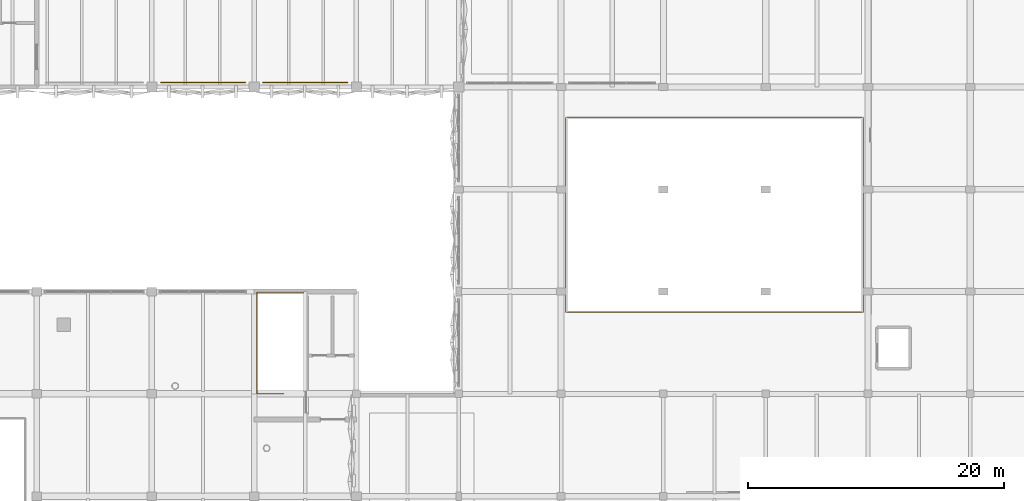
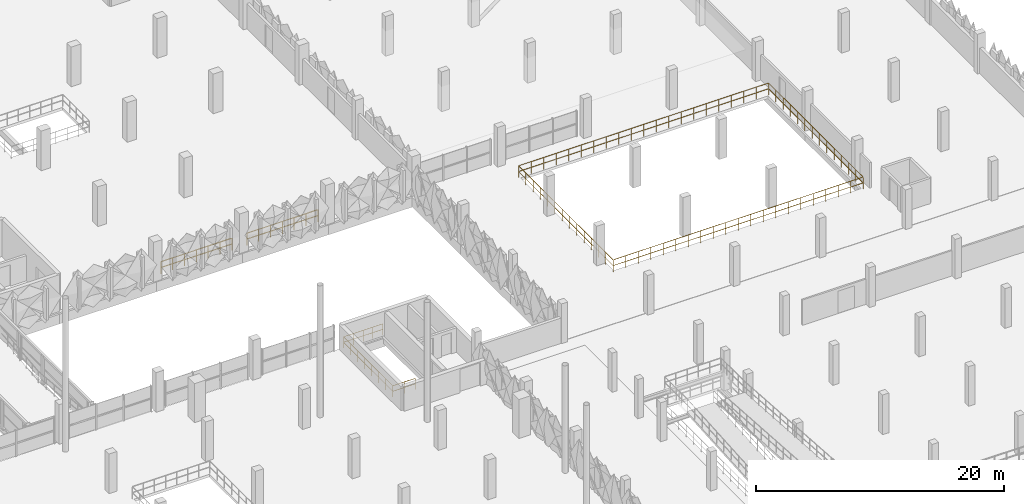
# One storey, part 120 of 123: 4 railings.
"""IFC4 building model written with IfcOpenShell, lengths in metres."""

import ifcopenshell
import ifcopenshell.guid

model = None  # the IFC model being written
_history = None  # IfcOwnerHistory: only IFC2X3 demands one
_inside = {}  # id of a spatial element -> (the spatial element, [elements in it])
_under = {}  # id of a project, library or spatial element -> (it, [spatial elements below it])
_declared = {}  # id of a project -> (the project, [libraries it declares])
_typed = {}  # id of a type object -> (the type object, [elements of that type])
_made_of = {}  # id of a material, layer set ... -> (it, [elements and type objects made of it])


def new_model(schema):
    """Start an empty IFC model of exactly this schema.

    Asked for "IFC4X3", IfcOpenShell would pick the latest addendum, in which some entities
    have other attributes; the version numbers below select the first issue.
    IFC2X3 requires an IfcOwnerHistory on every rooted entity: one is made here for all.
    """
    global model, _history
    if schema == "IFC4X3":
        model = ifcopenshell.file(schema_version=(4, 3, 0, 0))
    else:
        model = ifcopenshell.file(schema=schema)
    _inside.clear()
    _under.clear()
    _declared.clear()
    _typed.clear()
    _made_of.clear()
    _history = None
    if model.schema == "IFC2X3":
        org = make("IfcOrganization", Name="unknown")
        user = make(
            "IfcPersonAndOrganization",
            ThePerson=make("IfcPerson", FamilyName="unknown"),
            TheOrganization=org,
        )
        app = make(
            "IfcApplication",
            ApplicationDeveloper=org,
            Version="unknown",
            ApplicationFullName="unknown",
            ApplicationIdentifier="unknown",
        )
        _history = make(
            "IfcOwnerHistory",
            OwningUser=user,
            OwningApplication=app,
            ChangeAction="ADDED",
            CreationDate=0,
        )
    return model


def make(cls, **values):
    """One entity of the class cls with the attributes given. An attribute that is None is left unset."""
    return model.create_entity(
        cls, **{name: value for name, value in values.items() if value is not None}
    )


def rooted(cls, **values):
    """An entity with a GlobalId (a new one), such as an element, a storey or a relation."""
    return make(cls, GlobalId=ifcopenshell.guid.new(), OwnerHistory=_history, **values)


def si_unit(unit_type, name, prefix=None):
    """IfcSIUnit, for example si_unit("LENGTHUNIT", "METRE", prefix="MILLI")."""
    return make("IfcSIUnit", UnitType=unit_type, Prefix=prefix, Name=name)


def derived_unit(unit_type, elements):
    """IfcDerivedUnit: a product of units, each with its exponent."""
    return make(
        "IfcDerivedUnit",
        Elements=[
            make("IfcDerivedUnitElement", Unit=unit, Exponent=power)
            for unit, power in elements
        ],
        UnitType=unit_type,
    )


def assignment(units):
    """IfcUnitAssignment: the units of a project."""
    return None if units is None else make("IfcUnitAssignment", Units=units)


def point(xyz):
    """IfcCartesianPoint."""
    return None if xyz is None else make("IfcCartesianPoint", Coordinates=xyz)


def direction(xyz):
    """IfcDirection."""
    return None if xyz is None else make("IfcDirection", DirectionRatios=xyz)


def frame(location, z_axis=None, x_axis=None):
    """IfcAxis2Placement3D, a coordinate frame: its origin and axes. An axis left out is left unset."""
    return make(
        "IfcAxis2Placement3D",
        Location=point(location),
        Axis=direction(z_axis),
        RefDirection=direction(x_axis),
    )


def frame_2d(location, x_axis=None):
    """IfcAxis2Placement2D, a coordinate frame in the plane: its origin and x axis."""
    return make(
        "IfcAxis2Placement2D", Location=point(location), RefDirection=direction(x_axis)
    )


def origin():
    """The frame at (0, 0, 0) with its axes left unset."""
    return frame((0.0, 0.0, 0.0))


def origin_2d():
    """The frame at (0, 0) in the plane with its x axis left unset."""
    return frame_2d((0.0, 0.0))


def place(relative_to, where):
    """IfcLocalPlacement: puts the frame where relative to a parent placement (None: the world)."""
    return make(
        "IfcLocalPlacement", PlacementRelTo=relative_to, RelativePlacement=where
    )


def context(
    kind, dimensions, precision=None, world=None, true_north=None, identifier=None
):
    """IfcGeometricRepresentationContext, for example the 3D "Model" context."""
    return make(
        "IfcGeometricRepresentationContext",
        ContextIdentifier=identifier,
        ContextType=kind,
        CoordinateSpaceDimension=dimensions,
        Precision=precision,
        WorldCoordinateSystem=world,
        TrueNorth=true_north,
    )


def subcontext(parent, identifier, kind, view, scale=None):
    """IfcGeometricRepresentationSubContext, for example "Body" below "Model"."""
    return make(
        "IfcGeometricRepresentationSubContext",
        ContextIdentifier=identifier,
        ContextType=kind,
        ParentContext=parent,
        TargetScale=scale,
        TargetView=view,
    )


def project(units=None, contexts=None):
    """IfcProject with its units and contexts."""
    return rooted(
        "IfcProject",
        Name="project",
        RepresentationContexts=contexts,
        UnitsInContext=assignment(units),
    )


def spatial(cls, under=None, at=None, **own):
    """A site, building, storey or space (cls), placed at a placement, below another one or the project."""
    s = rooted(cls, ObjectPlacement=at, **own)
    if under is not None:
        _under.setdefault(under.id(), (under, []))[1].append(s)
    return s


def profile(cls, at=None, kind="AREA", **sizes):
    """A parametric profile (cls). Its sizes go by their IFC names, for example OverallWidth=200.0."""
    return make(cls, ProfileType=kind, Position=at, **sizes)


def circle(**sizes):
    """IfcCircleProfileDef."""
    return profile("IfcCircleProfileDef", **sizes)


def extrude(swept, where, along, depth):
    """IfcExtrudedAreaSolid: the profile swept, set in the frame where, extruded along a direction by depth."""
    return make(
        "IfcExtrudedAreaSolid",
        SweptArea=swept,
        Position=where,
        ExtrudedDirection=direction(along),
        Depth=depth,
    )


def shape(context_of_items, identifier, shape_type, items):
    """IfcShapeRepresentation: the items that make up one representation, for example the "Body"."""
    return make(
        "IfcShapeRepresentation",
        ContextOfItems=context_of_items,
        RepresentationIdentifier=identifier,
        RepresentationType=shape_type,
        Items=items,
    )


def material(Name=None, Category=None):
    """IfcMaterial."""
    return make("IfcMaterial", Name=Name, Category=Category)


def made_of(thing, what):
    """Note that an element or type object is made of a material, layer set ...; save() writes the relation."""
    if what is not None:
        _made_of.setdefault(what.id(), (what, []))[1].append(thing)
    return thing


def type_object(cls, material=None, **own):
    """A type object (cls), such as IfcWallType, which elements share."""
    return made_of(rooted(cls, **own), material)


def element(
    cls,
    number,
    at=None,
    inside=None,
    cuts=None,
    type_object=None,
    material=None,
    context=None,
    identifier="Body",
    shape_type=None,
    held_by="IfcProductDefinitionShape",
    body=None,
    shapes=None,
    **own,
):
    """One element of the class cls, such as IfcWall. Its Tag is "e" and its number.

    at: its placement. inside: the storey or other place that contains it. cuts: it is an
    opening in that element (IfcRelVoidsElement). A single representation is given by context,
    identifier, shape_type and body (its items); several are given by shapes. held_by: the class
    of the entity that holds the representations. save() writes the other relations.
    """
    e = rooted(cls, Tag="e%d" % number, ObjectPlacement=at, **own)
    if body is not None:
        shapes = [shape(context, identifier, shape_type, body)]
    if shapes is not None:
        e.Representation = make(held_by, Representations=shapes)
    if inside is not None:
        _inside.setdefault(inside.id(), (inside, []))[1].append(e)
    if cuts is not None:
        rooted(
            "IfcRelVoidsElement", RelatingBuildingElement=cuts, RelatedOpeningElement=e
        )
    if type_object is not None:
        _typed.setdefault(type_object.id(), (type_object, []))[1].append(e)
    return made_of(e, material)


def aggregate(whole, parts):
    """IfcRelAggregates: a whole, such as a stair, and the parts it consists of."""
    return rooted("IfcRelAggregates", RelatingObject=whole, RelatedObjects=parts)


def save(model, path):
    """Write the relations noted so far, then the file.

    IfcRelAggregates (storeys below a building ...), IfcRelContainedInSpatialStructure (elements
    in a storey), IfcRelDefinesByType, IfcRelAssociatesMaterial and IfcRelDeclares: one each for
    every whole, place, type object, material and project.
    """
    for whole, parts in _under.values():
        aggregate(whole, parts)
    for where, things in _inside.values():
        rooted(
            "IfcRelContainedInSpatialStructure",
            RelatedElements=things,
            RelatingStructure=where,
        )
    for kind, things in _typed.values():
        rooted("IfcRelDefinesByType", RelatedObjects=things, RelatingType=kind)
    for what, things in _made_of.values():
        rooted("IfcRelAssociatesMaterial", RelatedObjects=things, RelatingMaterial=what)
    for by, libraries in _declared.values():
        rooted("IfcRelDeclares", RelatingContext=by, RelatedDefinitions=libraries)
    model.write(path)


model = new_model("IFC4")

# Units and contexts
model_context = context("Model", 3, precision=1e-05, world=origin(), true_north=direction((0.0, 1.0)))
body_context = subcontext(model_context, "Body", "Model", "MODEL_VIEW")
ifc_project = project(units=[si_unit("LENGTHUNIT", "METRE"), si_unit("AREAUNIT", "SQUARE_METRE"), si_unit("VOLUMEUNIT", "CUBIC_METRE"), si_unit("PLANEANGLEUNIT", "RADIAN"), si_unit("MASSUNIT", "GRAM", prefix="KILO"), si_unit("THERMODYNAMICTEMPERATUREUNIT", "KELVIN"), derived_unit("THERMALTRANSMITTANCEUNIT", [(si_unit("POWERUNIT", "WATT"), 1), (si_unit("AREAUNIT", "SQUARE_METRE"), -1), (si_unit("THERMODYNAMICTEMPERATUREUNIT", "KELVIN"), -1)])], contexts=[model_context])

# Site, building, storey
site_placement = place(None, origin())
site = spatial("IfcSite", under=ifc_project, at=site_placement, CompositionType="ELEMENT")
building_placement = place(site_placement, origin())
building = spatial("IfcBuilding", under=site, at=building_placement, Name="Haiyu Intermodal Mobility Hub", CompositionType="ELEMENT")
storey_placement = place(building_placement, frame((0.0, 0.0, 5.60009765625)))
storey = spatial("IfcBuildingStorey", under=building, at=storey_placement, Name="L01", CompositionType="ELEMENT", Elevation=5.60009765625)

# Railings
ifc_material = material(Name="Steel Q355C", Category="steel")
railing_type_1 = type_object("IfcRailingType", Name="RAL-GR01", PredefinedType="GUARDRAIL", material=ifc_material)
railing_1_placement = place(storey_placement, frame((138.699951171875, 104.340087890625, 0.0)))
element("IfcRailing", 1, at=railing_1_placement, inside=storey, type_object=railing_type_1, Name="RAL-CAR-S-0144", PredefinedType="GUARDRAIL", context=body_context, shape_type="SweptSolid", body=[
    extrude(circle(Radius=0.02392578125, at=origin_2d()), frame((0.030029296875, 0.0, 1.17578125), z_axis=(1.0, 0.0, 0.0), x_axis=(0.0, 1.0, 0.0)), (0.0, 0.0, 1.0), 6.5400390625),
    extrude(circle(Radius=0.02392578125, at=origin_2d()), frame((0.037353515625, 0.0, 0.60009765625), z_axis=(1.0, 0.0, 0.0), x_axis=(0.0, 1.0, 0.0)), (0.0, 0.0, 1.0), 1.025390625),
    extrude(circle(Radius=0.02392578125, at=origin_2d()), frame((1.13720703125, 0.0, 0.60009765625), z_axis=(1.0, 0.0, 0.0), x_axis=(0.0, 1.0, 0.0)), (0.0, 0.0, 1.0), 1.025390625),
    extrude(circle(Radius=0.02392578125, at=origin_2d()), frame((2.2373046875, 0.0, 0.60009765625), z_axis=(1.0, 0.0, 0.0), x_axis=(0.0, 1.0, 0.0)), (0.0, 0.0, 1.0), 1.025390625),
    extrude(circle(Radius=0.02392578125, at=origin_2d()), frame((3.33740234375, 0.0, 0.60009765625), z_axis=(1.0, 0.0, 0.0), x_axis=(0.0, 1.0, 0.0)), (0.0, 0.0, 1.0), 1.025390625),
    extrude(circle(Radius=0.02392578125, at=origin_2d()), frame((4.437255859375, 0.0, 0.60009765625), z_axis=(1.0, 0.0, 0.0), x_axis=(0.0, 1.0, 0.0)), (0.0, 0.0, 1.0), 1.025390625),
    extrude(circle(Radius=0.02392578125, at=origin_2d()), frame((5.537353515625, 0.0, 0.60009765625), z_axis=(1.0, 0.0, 0.0), x_axis=(0.0, 1.0, 0.0)), (0.0, 0.0, 1.0), 1.025390625),
    extrude(circle(Radius=0.02099609375, at=origin_2d()), origin(), (0.0, 0.0, 1.0), 1.143798828125),
    extrude(circle(Radius=0.02099609375, at=origin_2d()), frame((1.10009765625, 0.0, 0.0)), (0.0, 0.0, 1.0), 1.143798828125),
    extrude(circle(Radius=0.02099609375, at=origin_2d()), frame((2.199951171875, 0.0, 0.0)), (0.0, 0.0, 1.0), 1.143798828125),
    extrude(circle(Radius=0.02099609375, at=origin_2d()), frame((3.300048828125, 0.0, 0.0)), (0.0, 0.0, 1.0), 1.143798828125),
    extrude(circle(Radius=0.02099609375, at=origin_2d()), frame((4.400146484375, 0.0, 0.0)), (0.0, 0.0, 1.0), 1.143798828125),
    extrude(circle(Radius=0.02099609375, at=origin_2d()), frame((5.5, 0.0, 0.0)), (0.0, 0.0, 1.0), 1.143798828125),
    extrude(circle(Radius=0.02099609375, at=origin_2d()), frame((6.60009765625, 0.0, 0.0)), (0.0, 0.0, 1.0), 1.143798828125),
])
railing_2_placement = place(storey_placement, frame((146.699951171875, 104.340087890625, 0.0)))
element("IfcRailing", 2, at=railing_2_placement, inside=storey, type_object=railing_type_1, Name="RAL-CAR-S-0150", PredefinedType="GUARDRAIL", context=body_context, shape_type="SweptSolid", body=[
    extrude(circle(Radius=0.02392578125, at=origin_2d()), frame((0.030029296875, 0.0, 1.17578125), z_axis=(1.0, 0.0, 0.0), x_axis=(0.0, 1.0, 0.0)), (0.0, 0.0, 1.0), 6.5400390625),
    extrude(circle(Radius=0.02392578125, at=origin_2d()), frame((0.037353515625, 0.0, 0.60009765625), z_axis=(1.0, 0.0, 0.0), x_axis=(0.0, 1.0, 0.0)), (0.0, 0.0, 1.0), 1.025390625),
    extrude(circle(Radius=0.02392578125, at=origin_2d()), frame((1.13720703125, 0.0, 0.60009765625), z_axis=(1.0, 0.0, 0.0), x_axis=(0.0, 1.0, 0.0)), (0.0, 0.0, 1.0), 1.025390625),
    extrude(circle(Radius=0.02392578125, at=origin_2d()), frame((2.2373046875, 0.0, 0.60009765625), z_axis=(1.0, 0.0, 0.0), x_axis=(0.0, 1.0, 0.0)), (0.0, 0.0, 1.0), 1.025390625),
    extrude(circle(Radius=0.02392578125, at=origin_2d()), frame((3.33740234375, 0.0, 0.60009765625), z_axis=(1.0, 0.0, 0.0), x_axis=(0.0, 1.0, 0.0)), (0.0, 0.0, 1.0), 1.025390625),
    extrude(circle(Radius=0.02392578125, at=origin_2d()), frame((4.437255859375, 0.0, 0.60009765625), z_axis=(1.0, 0.0, 0.0), x_axis=(0.0, 1.0, 0.0)), (0.0, 0.0, 1.0), 1.025390625),
    extrude(circle(Radius=0.02392578125, at=origin_2d()), frame((5.537353515625, 0.0, 0.60009765625), z_axis=(1.0, 0.0, 0.0), x_axis=(0.0, 1.0, 0.0)), (0.0, 0.0, 1.0), 1.025390625),
    extrude(circle(Radius=0.02099609375, at=origin_2d()), origin(), (0.0, 0.0, 1.0), 1.143798828125),
    extrude(circle(Radius=0.02099609375, at=origin_2d()), frame((1.10009765625, 0.0, 0.0)), (0.0, 0.0, 1.0), 1.143798828125),
    extrude(circle(Radius=0.02099609375, at=origin_2d()), frame((2.199951171875, 0.0, 0.0)), (0.0, 0.0, 1.0), 1.143798828125),
    extrude(circle(Radius=0.02099609375, at=origin_2d()), frame((3.300048828125, 0.0, 0.0)), (0.0, 0.0, 1.0), 1.143798828125),
    extrude(circle(Radius=0.02099609375, at=origin_2d()), frame((4.400146484375, 0.0, 0.0)), (0.0, 0.0, 1.0), 1.143798828125),
    extrude(circle(Radius=0.02099609375, at=origin_2d()), frame((5.5, 0.0, 0.0)), (0.0, 0.0, 1.0), 1.143798828125),
    extrude(circle(Radius=0.02099609375, at=origin_2d()), frame((6.60009765625, 0.0, 0.0)), (0.0, 0.0, 1.0), 1.143798828125),
])
railing_3_placement = place(storey_placement, frame((170.3798828125, 86.3798828125, 0.0)))
element("IfcRailing", 3, at=railing_3_placement, inside=storey, type_object=railing_type_1, Name="RAL-V6VOID-L01", PredefinedType="GUARDRAIL", context=body_context, shape_type="SweptSolid", body=[
    extrude(circle(Radius=0.02392578125, at=origin_2d()), frame((0.030029296875, 0.0, 1.15576171875), z_axis=(1.0, 0.0, 0.0), x_axis=(0.0, 1.0, 0.0)), (0.0, 0.0, 1.0), 23.18017578125),
    extrude(circle(Radius=0.02392578125, at=origin_2d()), frame((0.037353515625, 0.0, 0.58984375), z_axis=(1.0, 0.0, 0.0), x_axis=(0.0, 1.0, 0.0)), (0.0, 0.0, 1.0), 1.08740234375),
    extrude(circle(Radius=0.02392578125, at=origin_2d()), frame((1.19921875, 0.0, 0.58984375), z_axis=(1.0, 0.0, 0.0), x_axis=(0.0, 1.0, 0.0)), (0.0, 0.0, 1.0), 1.08740234375),
    extrude(circle(Radius=0.02392578125, at=origin_2d()), frame((2.361328125, 0.0, 0.58984375), z_axis=(1.0, 0.0, 0.0), x_axis=(0.0, 1.0, 0.0)), (0.0, 0.0, 1.0), 1.08740234375),
    extrude(circle(Radius=0.02392578125, at=origin_2d()), frame((3.5234375, 0.0, 0.58984375), z_axis=(1.0, 0.0, 0.0), x_axis=(0.0, 1.0, 0.0)), (0.0, 0.0, 1.0), 1.08740234375),
    extrude(circle(Radius=0.02392578125, at=origin_2d()), frame((4.685302734375, 0.0, 0.58984375), z_axis=(1.0, 0.0, 0.0), x_axis=(0.0, 1.0, 0.0)), (0.0, 0.0, 1.0), 1.08740234375),
    extrude(circle(Radius=0.02392578125, at=origin_2d()), frame((5.847412109375, 0.0, 0.58984375), z_axis=(1.0, 0.0, 0.0), x_axis=(0.0, 1.0, 0.0)), (0.0, 0.0, 1.0), 1.08740234375),
    extrude(circle(Radius=0.02392578125, at=origin_2d()), frame((7.00927734375, 0.0, 0.58984375), z_axis=(1.0, 0.0, 0.0), x_axis=(0.0, 1.0, 0.0)), (0.0, 0.0, 1.0), 1.08740234375),
    extrude(circle(Radius=0.02392578125, at=origin_2d()), frame((8.17138671875, 0.0, 0.58984375), z_axis=(1.0, 0.0, 0.0), x_axis=(0.0, 1.0, 0.0)), (0.0, 0.0, 1.0), 1.08740234375),
    extrude(circle(Radius=0.02392578125, at=origin_2d()), frame((9.33349609375, 0.0, 0.58984375), z_axis=(1.0, 0.0, 0.0), x_axis=(0.0, 1.0, 0.0)), (0.0, 0.0, 1.0), 1.08740234375),
    extrude(circle(Radius=0.02392578125, at=origin_2d()), frame((10.495361328125, 0.0, 0.58984375), z_axis=(1.0, 0.0, 0.0), x_axis=(0.0, 1.0, 0.0)), (0.0, 0.0, 1.0), 1.08740234375),
    extrude(circle(Radius=0.02392578125, at=origin_2d()), frame((11.657470703125, 0.0, 0.58984375), z_axis=(1.0, 0.0, 0.0), x_axis=(0.0, 1.0, 0.0)), (0.0, 0.0, 1.0), 1.08740234375),
    extrude(circle(Radius=0.02392578125, at=origin_2d()), frame((12.8193359375, 0.0, 0.58984375), z_axis=(1.0, 0.0, 0.0), x_axis=(0.0, 1.0, 0.0)), (0.0, 0.0, 1.0), 1.08740234375),
    extrude(circle(Radius=0.02392578125, at=origin_2d()), frame((13.9814453125, 0.0, 0.58984375), z_axis=(1.0, 0.0, 0.0), x_axis=(0.0, 1.0, 0.0)), (0.0, 0.0, 1.0), 1.08740234375),
    extrude(circle(Radius=0.02392578125, at=origin_2d()), frame((15.1435546875, 0.0, 0.58984375), z_axis=(1.0, 0.0, 0.0), x_axis=(0.0, 1.0, 0.0)), (0.0, 0.0, 1.0), 1.08740234375),
    extrude(circle(Radius=0.02392578125, at=origin_2d()), frame((16.305419921875, 0.0, 0.58984375), z_axis=(1.0, 0.0, 0.0), x_axis=(0.0, 1.0, 0.0)), (0.0, 0.0, 1.0), 1.08740234375),
    extrude(circle(Radius=0.02392578125, at=origin_2d()), frame((17.467529296875, 0.0, 0.58984375), z_axis=(1.0, 0.0, 0.0), x_axis=(0.0, 1.0, 0.0)), (0.0, 0.0, 1.0), 1.08740234375),
    extrude(circle(Radius=0.02392578125, at=origin_2d()), frame((18.62939453125, 0.0, 0.58984375), z_axis=(1.0, 0.0, 0.0), x_axis=(0.0, 1.0, 0.0)), (0.0, 0.0, 1.0), 1.08740234375),
    extrude(circle(Radius=0.02392578125, at=origin_2d()), frame((19.79150390625, 0.0, 0.58984375), z_axis=(1.0, 0.0, 0.0), x_axis=(0.0, 1.0, 0.0)), (0.0, 0.0, 1.0), 1.08740234375),
    extrude(circle(Radius=0.02392578125, at=origin_2d()), frame((20.95361328125, 0.0, 0.58984375), z_axis=(1.0, 0.0, 0.0), x_axis=(0.0, 1.0, 0.0)), (0.0, 0.0, 1.0), 1.08740234375),
    extrude(circle(Radius=0.02392578125, at=origin_2d()), frame((22.115478515625, 0.0, 0.58984375), z_axis=(1.0, 0.0, 0.0), x_axis=(0.0, 1.0, 0.0)), (0.0, 0.0, 1.0), 1.08740234375),
    extrude(circle(Radius=0.02392578125, at=origin_2d()), frame((23.240234375, 0.030029296875, 1.15576171875), z_axis=(0.0, 1.0, 0.0), x_axis=(-1.0, 0.0, 0.0)), (0.0, 0.0, 1.0), 15.18017578125),
    extrude(circle(Radius=0.02392578125, at=origin_2d()), frame((23.240234375, 0.037353515625, 0.58984375), z_axis=(0.0, 1.0, 0.0), x_axis=(-1.0, 0.0, 0.0)), (0.0, 0.0, 1.0), 1.09765625),
    extrude(circle(Radius=0.02392578125, at=origin_2d()), frame((23.240234375, 1.209716796875, 0.58984375), z_axis=(0.0, 1.0, 0.0), x_axis=(-1.0, 0.0, 0.0)), (0.0, 0.0, 1.0), 1.09765625),
    extrude(circle(Radius=0.02392578125, at=origin_2d()), frame((23.240234375, 2.3818359375, 0.58984375), z_axis=(0.0, 1.0, 0.0), x_axis=(-1.0, 0.0, 0.0)), (0.0, 0.0, 1.0), 1.09765625),
    extrude(circle(Radius=0.02392578125, at=origin_2d()), frame((23.240234375, 3.55419921875, 0.58984375), z_axis=(0.0, 1.0, 0.0), x_axis=(-1.0, 0.0, 0.0)), (0.0, 0.0, 1.0), 1.09765625),
    extrude(circle(Radius=0.02392578125, at=origin_2d()), frame((23.240234375, 4.7265625, 0.58984375), z_axis=(0.0, 1.0, 0.0), x_axis=(-1.0, 0.0, 0.0)), (0.0, 0.0, 1.0), 1.09765625),
    extrude(circle(Radius=0.02392578125, at=origin_2d()), frame((23.240234375, 5.89892578125, 0.58984375), z_axis=(0.0, 1.0, 0.0), x_axis=(-1.0, 0.0, 0.0)), (0.0, 0.0, 1.0), 1.09765625),
    extrude(circle(Radius=0.02392578125, at=origin_2d()), frame((23.240234375, 7.0712890625, 0.58984375), z_axis=(0.0, 1.0, 0.0), x_axis=(-1.0, 0.0, 0.0)), (0.0, 0.0, 1.0), 1.09765625),
    extrude(circle(Radius=0.02392578125, at=origin_2d()), frame((23.240234375, 8.24365234375, 0.58984375), z_axis=(0.0, 1.0, 0.0), x_axis=(-1.0, 0.0, 0.0)), (0.0, 0.0, 1.0), 1.09765625),
    extrude(circle(Radius=0.02392578125, at=origin_2d()), frame((23.240234375, 9.416015625, 0.58984375), z_axis=(0.0, 1.0, 0.0), x_axis=(-1.0, 0.0, 0.0)), (0.0, 0.0, 1.0), 1.09765625),
    extrude(circle(Radius=0.02392578125, at=origin_2d()), frame((23.240234375, 10.588134765625, 0.58984375), z_axis=(0.0, 1.0, 0.0), x_axis=(-1.0, 0.0, 0.0)), (0.0, 0.0, 1.0), 1.09765625),
    extrude(circle(Radius=0.02392578125, at=origin_2d()), frame((23.240234375, 11.760498046875, 0.58984375), z_axis=(0.0, 1.0, 0.0), x_axis=(-1.0, 0.0, 0.0)), (0.0, 0.0, 1.0), 1.09765625),
    extrude(circle(Radius=0.02392578125, at=origin_2d()), frame((23.240234375, 12.932861328125, 0.58984375), z_axis=(0.0, 1.0, 0.0), x_axis=(-1.0, 0.0, 0.0)), (0.0, 0.0, 1.0), 1.09765625),
    extrude(circle(Radius=0.02392578125, at=origin_2d()), frame((23.240234375, 14.105224609375, 0.58984375), z_axis=(0.0, 1.0, 0.0), x_axis=(-1.0, 0.0, 0.0)), (0.0, 0.0, 1.0), 1.09765625),
    extrude(circle(Radius=0.02392578125, at=origin_2d()), frame((23.210205078125, 15.240234375, 1.15576171875), z_axis=(-1.0, 0.0, 0.0), x_axis=(0.0, -1.0, 0.0)), (0.0, 0.0, 1.0), 23.18017578125),
    extrude(circle(Radius=0.02392578125, at=origin_2d()), frame((23.202880859375, 15.240234375, 0.58984375), z_axis=(-1.0, 0.0, 0.0), x_axis=(0.0, -1.0, 0.0)), (0.0, 0.0, 1.0), 1.08740234375),
    extrude(circle(Radius=0.02392578125, at=origin_2d()), frame((22.041015625, 15.240234375, 0.58984375), z_axis=(-1.0, 0.0, 0.0), x_axis=(0.0, -1.0, 0.0)), (0.0, 0.0, 1.0), 1.08740234375),
    extrude(circle(Radius=0.02392578125, at=origin_2d()), frame((20.87890625, 15.240234375, 0.58984375), z_axis=(-1.0, 0.0, 0.0), x_axis=(0.0, -1.0, 0.0)), (0.0, 0.0, 1.0), 1.08740234375),
    extrude(circle(Radius=0.02392578125, at=origin_2d()), frame((19.716796875, 15.240234375, 0.58984375), z_axis=(-1.0, 0.0, 0.0), x_axis=(0.0, -1.0, 0.0)), (0.0, 0.0, 1.0), 1.08740234375),
    extrude(circle(Radius=0.02392578125, at=origin_2d()), frame((18.554931640625, 15.240234375, 0.58984375), z_axis=(-1.0, 0.0, 0.0), x_axis=(0.0, -1.0, 0.0)), (0.0, 0.0, 1.0), 1.08740234375),
    extrude(circle(Radius=0.02392578125, at=origin_2d()), frame((17.392822265625, 15.240234375, 0.58984375), z_axis=(-1.0, 0.0, 0.0), x_axis=(0.0, -1.0, 0.0)), (0.0, 0.0, 1.0), 1.08740234375),
    extrude(circle(Radius=0.02392578125, at=origin_2d()), frame((16.23095703125, 15.240234375, 0.58984375), z_axis=(-1.0, 0.0, 0.0), x_axis=(0.0, -1.0, 0.0)), (0.0, 0.0, 1.0), 1.08740234375),
    extrude(circle(Radius=0.02392578125, at=origin_2d()), frame((15.06884765625, 15.240234375, 0.58984375), z_axis=(-1.0, 0.0, 0.0), x_axis=(0.0, -1.0, 0.0)), (0.0, 0.0, 1.0), 1.08740234375),
    extrude(circle(Radius=0.02392578125, at=origin_2d()), frame((13.90673828125, 15.240234375, 0.58984375), z_axis=(-1.0, 0.0, 0.0), x_axis=(0.0, -1.0, 0.0)), (0.0, 0.0, 1.0), 1.08740234375),
    extrude(circle(Radius=0.02392578125, at=origin_2d()), frame((12.744873046875, 15.240234375, 0.58984375), z_axis=(-1.0, 0.0, 0.0), x_axis=(0.0, -1.0, 0.0)), (0.0, 0.0, 1.0), 1.08740234375),
    extrude(circle(Radius=0.02392578125, at=origin_2d()), frame((11.582763671875, 15.240234375, 0.58984375), z_axis=(-1.0, 0.0, 0.0), x_axis=(0.0, -1.0, 0.0)), (0.0, 0.0, 1.0), 1.08740234375),
    extrude(circle(Radius=0.02392578125, at=origin_2d()), frame((10.4208984375, 15.240234375, 0.58984375), z_axis=(-1.0, 0.0, 0.0), x_axis=(0.0, -1.0, 0.0)), (0.0, 0.0, 1.0), 1.08740234375),
    extrude(circle(Radius=0.02392578125, at=origin_2d()), frame((9.2587890625, 15.240234375, 0.58984375), z_axis=(-1.0, 0.0, 0.0), x_axis=(0.0, -1.0, 0.0)), (0.0, 0.0, 1.0), 1.08740234375),
    extrude(circle(Radius=0.02392578125, at=origin_2d()), frame((8.0966796875, 15.240234375, 0.58984375), z_axis=(-1.0, 0.0, 0.0), x_axis=(0.0, -1.0, 0.0)), (0.0, 0.0, 1.0), 1.08740234375),
    extrude(circle(Radius=0.02392578125, at=origin_2d()), frame((6.934814453125, 15.240234375, 0.58984375), z_axis=(-1.0, 0.0, 0.0), x_axis=(0.0, -1.0, 0.0)), (0.0, 0.0, 1.0), 1.08740234375),
    extrude(circle(Radius=0.02392578125, at=origin_2d()), frame((5.772705078125, 15.240234375, 0.58984375), z_axis=(-1.0, 0.0, 0.0), x_axis=(0.0, -1.0, 0.0)), (0.0, 0.0, 1.0), 1.08740234375),
    extrude(circle(Radius=0.02392578125, at=origin_2d()), frame((4.61083984375, 15.240234375, 0.58984375), z_axis=(-1.0, 0.0, 0.0), x_axis=(0.0, -1.0, 0.0)), (0.0, 0.0, 1.0), 1.08740234375),
    extrude(circle(Radius=0.02392578125, at=origin_2d()), frame((3.44873046875, 15.240234375, 0.58984375), z_axis=(-1.0, 0.0, 0.0), x_axis=(0.0, -1.0, 0.0)), (0.0, 0.0, 1.0), 1.08740234375),
    extrude(circle(Radius=0.02392578125, at=origin_2d()), frame((2.28662109375, 15.240234375, 0.58984375), z_axis=(-1.0, 0.0, 0.0), x_axis=(0.0, -1.0, 0.0)), (0.0, 0.0, 1.0), 1.08740234375),
    extrude(circle(Radius=0.02392578125, at=origin_2d()), frame((1.124755859375, 15.240234375, 0.58984375), z_axis=(-1.0, 0.0, 0.0), x_axis=(0.0, -1.0, 0.0)), (0.0, 0.0, 1.0), 1.08740234375),
    extrude(circle(Radius=0.02392578125, at=origin_2d()), frame((0.0, 15.210205078125, 1.15576171875), z_axis=(0.0, -1.0, 0.0), x_axis=(1.0, 0.0, 0.0)), (0.0, 0.0, 1.0), 15.18017578125),
    extrude(circle(Radius=0.02392578125, at=origin_2d()), frame((0.0, 15.202880859375, 0.58984375), z_axis=(0.0, -1.0, 0.0), x_axis=(1.0, 0.0, 0.0)), (0.0, 0.0, 1.0), 1.09765625),
    extrude(circle(Radius=0.02392578125, at=origin_2d()), frame((0.0, 14.030517578125, 0.58984375), z_axis=(0.0, -1.0, 0.0), x_axis=(1.0, 0.0, 0.0)), (0.0, 0.0, 1.0), 1.09765625),
    extrude(circle(Radius=0.02392578125, at=origin_2d()), frame((0.0, 12.8583984375, 0.58984375), z_axis=(0.0, -1.0, 0.0), x_axis=(1.0, 0.0, 0.0)), (0.0, 0.0, 1.0), 1.09765625),
    extrude(circle(Radius=0.02392578125, at=origin_2d()), frame((0.0, 11.68603515625, 0.58984375), z_axis=(0.0, -1.0, 0.0), x_axis=(1.0, 0.0, 0.0)), (0.0, 0.0, 1.0), 1.09765625),
    extrude(circle(Radius=0.02392578125, at=origin_2d()), frame((0.0, 10.513671875, 0.58984375), z_axis=(0.0, -1.0, 0.0), x_axis=(1.0, 0.0, 0.0)), (0.0, 0.0, 1.0), 1.09765625),
    extrude(circle(Radius=0.02392578125, at=origin_2d()), frame((0.0, 9.34130859375, 0.58984375), z_axis=(0.0, -1.0, 0.0), x_axis=(1.0, 0.0, 0.0)), (0.0, 0.0, 1.0), 1.09765625),
    extrude(circle(Radius=0.02392578125, at=origin_2d()), frame((0.0, 8.1689453125, 0.58984375), z_axis=(0.0, -1.0, 0.0), x_axis=(1.0, 0.0, 0.0)), (0.0, 0.0, 1.0), 1.09765625),
    extrude(circle(Radius=0.02392578125, at=origin_2d()), frame((0.0, 6.99658203125, 0.58984375), z_axis=(0.0, -1.0, 0.0), x_axis=(1.0, 0.0, 0.0)), (0.0, 0.0, 1.0), 1.09765625),
    extrude(circle(Radius=0.02392578125, at=origin_2d()), frame((0.0, 5.82421875, 0.58984375), z_axis=(0.0, -1.0, 0.0), x_axis=(1.0, 0.0, 0.0)), (0.0, 0.0, 1.0), 1.09765625),
    extrude(circle(Radius=0.02392578125, at=origin_2d()), frame((0.0, 4.652099609375, 0.58984375), z_axis=(0.0, -1.0, 0.0), x_axis=(1.0, 0.0, 0.0)), (0.0, 0.0, 1.0), 1.09765625),
    extrude(circle(Radius=0.02392578125, at=origin_2d()), frame((0.0, 3.479736328125, 0.58984375), z_axis=(0.0, -1.0, 0.0), x_axis=(1.0, 0.0, 0.0)), (0.0, 0.0, 1.0), 1.09765625),
    extrude(circle(Radius=0.02392578125, at=origin_2d()), frame((0.0, 2.307373046875, 0.58984375), z_axis=(0.0, -1.0, 0.0), x_axis=(1.0, 0.0, 0.0)), (0.0, 0.0, 1.0), 1.09765625),
    extrude(circle(Radius=0.02392578125, at=origin_2d()), frame((0.0, 1.135009765625, 0.58984375), z_axis=(0.0, -1.0, 0.0), x_axis=(1.0, 0.0, 0.0)), (0.0, 0.0, 1.0), 1.09765625),
    extrude(circle(Radius=0.02099609375, at=origin_2d()), origin(), (0.0, 0.0, 1.0), 1.123779296875),
    extrude(circle(Radius=0.02099609375, at=origin_2d()), frame((1.162109375, 0.0, 0.0)), (0.0, 0.0, 1.0), 1.123779296875),
    extrude(circle(Radius=0.02099609375, at=origin_2d()), frame((2.323974609375, 0.0, 0.0)), (0.0, 0.0, 1.0), 1.123779296875),
    extrude(circle(Radius=0.02099609375, at=origin_2d()), frame((3.486083984375, 0.0, 0.0)), (0.0, 0.0, 1.0), 1.123779296875),
    extrude(circle(Radius=0.02099609375, at=origin_2d()), frame((4.64794921875, 0.0, 0.0)), (0.0, 0.0, 1.0), 1.123779296875),
    extrude(circle(Radius=0.02099609375, at=origin_2d()), frame((5.81005859375, 0.0, 0.0)), (0.0, 0.0, 1.0), 1.123779296875),
    extrude(circle(Radius=0.02099609375, at=origin_2d()), frame((6.97216796875, 0.0, 0.0)), (0.0, 0.0, 1.0), 1.123779296875),
    extrude(circle(Radius=0.02099609375, at=origin_2d()), frame((8.134033203125, 0.0, 0.0)), (0.0, 0.0, 1.0), 1.123779296875),
    extrude(circle(Radius=0.02099609375, at=origin_2d()), frame((9.296142578125, 0.0, 0.0)), (0.0, 0.0, 1.0), 1.123779296875),
    extrude(circle(Radius=0.02099609375, at=origin_2d()), frame((10.4580078125, 0.0, 0.0)), (0.0, 0.0, 1.0), 1.123779296875),
    extrude(circle(Radius=0.02099609375, at=origin_2d()), frame((11.6201171875, 0.0, 0.0)), (0.0, 0.0, 1.0), 1.123779296875),
    extrude(circle(Radius=0.02099609375, at=origin_2d()), frame((12.7822265625, 0.0, 0.0)), (0.0, 0.0, 1.0), 1.123779296875),
    extrude(circle(Radius=0.02099609375, at=origin_2d()), frame((13.944091796875, 0.0, 0.0)), (0.0, 0.0, 1.0), 1.123779296875),
    extrude(circle(Radius=0.02099609375, at=origin_2d()), frame((15.106201171875, 0.0, 0.0)), (0.0, 0.0, 1.0), 1.123779296875),
    extrude(circle(Radius=0.02099609375, at=origin_2d()), frame((16.26806640625, 0.0, 0.0)), (0.0, 0.0, 1.0), 1.123779296875),
    extrude(circle(Radius=0.02099609375, at=origin_2d()), frame((17.43017578125, 0.0, 0.0)), (0.0, 0.0, 1.0), 1.123779296875),
    extrude(circle(Radius=0.02099609375, at=origin_2d()), frame((18.59228515625, 0.0, 0.0)), (0.0, 0.0, 1.0), 1.123779296875),
    extrude(circle(Radius=0.02099609375, at=origin_2d()), frame((19.754150390625, 0.0, 0.0)), (0.0, 0.0, 1.0), 1.123779296875),
    extrude(circle(Radius=0.02099609375, at=origin_2d()), frame((20.916259765625, 0.0, 0.0)), (0.0, 0.0, 1.0), 1.123779296875),
    extrude(circle(Radius=0.02099609375, at=origin_2d()), frame((22.078125, 0.0, 0.0)), (0.0, 0.0, 1.0), 1.123779296875),
    extrude(circle(Radius=0.02099609375, at=origin_2d()), frame((23.240234375, 0.0, 0.0)), (0.0, 0.0, 1.0), 1.123779296875),
    extrude(circle(Radius=0.02099609375, at=origin_2d()), frame((23.240234375, 1.17236328125, 0.0)), (0.0, 0.0, 1.0), 1.123779296875),
    extrude(circle(Radius=0.02099609375, at=origin_2d()), frame((23.240234375, 2.3447265625, 0.0)), (0.0, 0.0, 1.0), 1.123779296875),
    extrude(circle(Radius=0.02099609375, at=origin_2d()), frame((23.240234375, 3.51708984375, 0.0)), (0.0, 0.0, 1.0), 1.123779296875),
    extrude(circle(Radius=0.02099609375, at=origin_2d()), frame((23.240234375, 4.689208984375, 0.0)), (0.0, 0.0, 1.0), 1.123779296875),
    extrude(circle(Radius=0.02099609375, at=origin_2d()), frame((23.240234375, 5.861572265625, 0.0)), (0.0, 0.0, 1.0), 1.123779296875),
    extrude(circle(Radius=0.02099609375, at=origin_2d()), frame((23.240234375, 7.033935546875, 0.0)), (0.0, 0.0, 1.0), 1.123779296875),
    extrude(circle(Radius=0.02099609375, at=origin_2d()), frame((23.240234375, 8.206298828125, 0.0)), (0.0, 0.0, 1.0), 1.123779296875),
    extrude(circle(Radius=0.02099609375, at=origin_2d()), frame((23.240234375, 9.378662109375, 0.0)), (0.0, 0.0, 1.0), 1.123779296875),
    extrude(circle(Radius=0.02099609375, at=origin_2d()), frame((23.240234375, 10.551025390625, 0.0)), (0.0, 0.0, 1.0), 1.123779296875),
    extrude(circle(Radius=0.02099609375, at=origin_2d()), frame((23.240234375, 11.72314453125, 0.0)), (0.0, 0.0, 1.0), 1.123779296875),
    extrude(circle(Radius=0.02099609375, at=origin_2d()), frame((23.240234375, 12.8955078125, 0.0)), (0.0, 0.0, 1.0), 1.123779296875),
    extrude(circle(Radius=0.02099609375, at=origin_2d()), frame((23.240234375, 14.06787109375, 0.0)), (0.0, 0.0, 1.0), 1.123779296875),
    extrude(circle(Radius=0.02099609375, at=origin_2d()), frame((23.240234375, 15.240234375, 0.0)), (0.0, 0.0, 1.0), 1.123779296875),
    extrude(circle(Radius=0.02099609375, at=origin_2d()), frame((22.078125, 15.240234375, 0.0)), (0.0, 0.0, 1.0), 1.123779296875),
    extrude(circle(Radius=0.02099609375, at=origin_2d()), frame((20.916259765625, 15.240234375, 0.0)), (0.0, 0.0, 1.0), 1.123779296875),
    extrude(circle(Radius=0.02099609375, at=origin_2d()), frame((19.754150390625, 15.240234375, 0.0)), (0.0, 0.0, 1.0), 1.123779296875),
    extrude(circle(Radius=0.02099609375, at=origin_2d()), frame((18.59228515625, 15.240234375, 0.0)), (0.0, 0.0, 1.0), 1.123779296875),
    extrude(circle(Radius=0.02099609375, at=origin_2d()), frame((17.43017578125, 15.240234375, 0.0)), (0.0, 0.0, 1.0), 1.123779296875),
    extrude(circle(Radius=0.02099609375, at=origin_2d()), frame((16.26806640625, 15.240234375, 0.0)), (0.0, 0.0, 1.0), 1.123779296875),
    extrude(circle(Radius=0.02099609375, at=origin_2d()), frame((15.106201171875, 15.240234375, 0.0)), (0.0, 0.0, 1.0), 1.123779296875),
    extrude(circle(Radius=0.02099609375, at=origin_2d()), frame((13.944091796875, 15.240234375, 0.0)), (0.0, 0.0, 1.0), 1.123779296875),
    extrude(circle(Radius=0.02099609375, at=origin_2d()), frame((12.7822265625, 15.240234375, 0.0)), (0.0, 0.0, 1.0), 1.123779296875),
    extrude(circle(Radius=0.02099609375, at=origin_2d()), frame((11.6201171875, 15.240234375, 0.0)), (0.0, 0.0, 1.0), 1.123779296875),
    extrude(circle(Radius=0.02099609375, at=origin_2d()), frame((10.4580078125, 15.240234375, 0.0)), (0.0, 0.0, 1.0), 1.123779296875),
    extrude(circle(Radius=0.02099609375, at=origin_2d()), frame((9.296142578125, 15.240234375, 0.0)), (0.0, 0.0, 1.0), 1.123779296875),
    extrude(circle(Radius=0.02099609375, at=origin_2d()), frame((8.134033203125, 15.240234375, 0.0)), (0.0, 0.0, 1.0), 1.123779296875),
    extrude(circle(Radius=0.02099609375, at=origin_2d()), frame((6.97216796875, 15.240234375, 0.0)), (0.0, 0.0, 1.0), 1.123779296875),
    extrude(circle(Radius=0.02099609375, at=origin_2d()), frame((5.81005859375, 15.240234375, 0.0)), (0.0, 0.0, 1.0), 1.123779296875),
    extrude(circle(Radius=0.02099609375, at=origin_2d()), frame((4.64794921875, 15.240234375, 0.0)), (0.0, 0.0, 1.0), 1.123779296875),
    extrude(circle(Radius=0.02099609375, at=origin_2d()), frame((3.486083984375, 15.240234375, 0.0)), (0.0, 0.0, 1.0), 1.123779296875),
    extrude(circle(Radius=0.02099609375, at=origin_2d()), frame((2.323974609375, 15.240234375, 0.0)), (0.0, 0.0, 1.0), 1.123779296875),
    extrude(circle(Radius=0.02099609375, at=origin_2d()), frame((1.162109375, 15.240234375, 0.0)), (0.0, 0.0, 1.0), 1.123779296875),
    extrude(circle(Radius=0.02099609375, at=origin_2d()), frame((0.0, 15.240234375, 0.0)), (0.0, 0.0, 1.0), 1.123779296875),
    extrude(circle(Radius=0.02099609375, at=origin_2d()), frame((0.0, 14.06787109375, 0.0)), (0.0, 0.0, 1.0), 1.123779296875),
    extrude(circle(Radius=0.02099609375, at=origin_2d()), frame((0.0, 12.8955078125, 0.0)), (0.0, 0.0, 1.0), 1.123779296875),
    extrude(circle(Radius=0.02099609375, at=origin_2d()), frame((0.0, 11.72314453125, 0.0)), (0.0, 0.0, 1.0), 1.123779296875),
    extrude(circle(Radius=0.02099609375, at=origin_2d()), frame((0.0, 10.551025390625, 0.0)), (0.0, 0.0, 1.0), 1.123779296875),
    extrude(circle(Radius=0.02099609375, at=origin_2d()), frame((0.0, 9.378662109375, 0.0)), (0.0, 0.0, 1.0), 1.123779296875),
    extrude(circle(Radius=0.02099609375, at=origin_2d()), frame((0.0, 8.206298828125, 0.0)), (0.0, 0.0, 1.0), 1.123779296875),
    extrude(circle(Radius=0.02099609375, at=origin_2d()), frame((0.0, 7.033935546875, 0.0)), (0.0, 0.0, 1.0), 1.123779296875),
    extrude(circle(Radius=0.02099609375, at=origin_2d()), frame((0.0, 5.861572265625, 0.0)), (0.0, 0.0, 1.0), 1.123779296875),
    extrude(circle(Radius=0.02099609375, at=origin_2d()), frame((0.0, 4.689208984375, 0.0)), (0.0, 0.0, 1.0), 1.123779296875),
    extrude(circle(Radius=0.02099609375, at=origin_2d()), frame((0.0, 3.51708984375, 0.0)), (0.0, 0.0, 1.0), 1.123779296875),
    extrude(circle(Radius=0.02099609375, at=origin_2d()), frame((0.0, 2.3447265625, 0.0)), (0.0, 0.0, 1.0), 1.123779296875),
    extrude(circle(Radius=0.02099609375, at=origin_2d()), frame((0.0, 1.17236328125, 0.0)), (0.0, 0.0, 1.0), 1.123779296875),
])
railing_type_2 = type_object("IfcRailingType", Name="RAL-GR03", PredefinedType="GUARDRAIL", material=ifc_material)
railing_4_placement = place(storey_placement, frame((148.31005859375, 80.010009765625, 0.0)))
element("IfcRailing", 4, at=railing_4_placement, inside=storey, type_object=railing_type_2, Name="Stair Shaft Floor Guard STR-C2-L00", PredefinedType="GUARDRAIL", context=body_context, shape_type="SweptSolid", body=[
    extrude(circle(Radius=0.02392578125, at=origin_2d()), frame((-0.030029296875, 0.0, 1.09619140625), z_axis=(-1.0, 0.0, 0.0), x_axis=(0.0, -1.0, 0.0)), (0.0, 0.0, 1.0), 2.030029296875),
    extrude(circle(Radius=0.02392578125, at=origin_2d()), frame((-0.037353515625, 0.0, 0.56005859375), z_axis=(-1.0, 0.0, 0.0), x_axis=(0.0, -1.0, 0.0)), (0.0, 0.0, 1.0), 0.970458984375),
    extrude(circle(Radius=0.02392578125, at=origin_2d()), frame((-1.082275390625, 0.0, 0.56005859375), z_axis=(-1.0, 0.0, 0.0), x_axis=(0.0, -1.0, 0.0)), (0.0, 0.0, 1.0), 0.970458984375),
    extrude(circle(Radius=0.02392578125, at=origin_2d()), frame((-2.090087890625, 0.030029296875, 1.09619140625), z_axis=(0.0, 1.0, 0.0), x_axis=(-1.0, 0.0, 0.0)), (0.0, 0.0, 1.0), 7.8798828125),
    extrude(circle(Radius=0.02392578125, at=origin_2d()), frame((-2.090087890625, 0.037353515625, 0.56005859375), z_axis=(0.0, 1.0, 0.0), x_axis=(-1.0, 0.0, 0.0)), (0.0, 0.0, 1.0), 1.0595703125),
    extrude(circle(Radius=0.02392578125, at=origin_2d()), frame((-2.090087890625, 1.171630859375, 0.56005859375), z_axis=(0.0, 1.0, 0.0), x_axis=(-1.0, 0.0, 0.0)), (0.0, 0.0, 1.0), 1.0595703125),
    extrude(circle(Radius=0.02392578125, at=origin_2d()), frame((-2.090087890625, 2.305908203125, 0.56005859375), z_axis=(0.0, 1.0, 0.0), x_axis=(-1.0, 0.0, 0.0)), (0.0, 0.0, 1.0), 1.0595703125),
    extrude(circle(Radius=0.02392578125, at=origin_2d()), frame((-2.090087890625, 3.440185546875, 0.56005859375), z_axis=(0.0, 1.0, 0.0), x_axis=(-1.0, 0.0, 0.0)), (0.0, 0.0, 1.0), 1.0595703125),
    extrude(circle(Radius=0.02392578125, at=origin_2d()), frame((-2.090087890625, 4.574462890625, 0.56005859375), z_axis=(0.0, 1.0, 0.0), x_axis=(-1.0, 0.0, 0.0)), (0.0, 0.0, 1.0), 1.0595703125),
    extrude(circle(Radius=0.02392578125, at=origin_2d()), frame((-2.090087890625, 5.708740234375, 0.56005859375), z_axis=(0.0, 1.0, 0.0), x_axis=(-1.0, 0.0, 0.0)), (0.0, 0.0, 1.0), 1.0595703125),
    extrude(circle(Radius=0.02392578125, at=origin_2d()), frame((-2.090087890625, 6.843017578125, 0.56005859375), z_axis=(0.0, 1.0, 0.0), x_axis=(-1.0, 0.0, 0.0)), (0.0, 0.0, 1.0), 1.0595703125),
    extrude(circle(Radius=0.02392578125, at=origin_2d()), frame((-2.06005859375, 7.93994140625, 1.09619140625), z_axis=(1.0, 0.0, 0.0), x_axis=(0.0, 1.0, 0.0)), (0.0, 0.0, 1.0), 3.590087890625),
    extrude(circle(Radius=0.02392578125, at=origin_2d()), frame((-2.052734375, 7.93994140625, 0.56005859375), z_axis=(1.0, 0.0, 0.0), x_axis=(0.0, 1.0, 0.0)), (0.0, 0.0, 1.0), 0.837890625),
    extrude(circle(Radius=0.02392578125, at=origin_2d()), frame((-1.14013671875, 7.93994140625, 0.56005859375), z_axis=(1.0, 0.0, 0.0), x_axis=(0.0, 1.0, 0.0)), (0.0, 0.0, 1.0), 0.837890625),
    extrude(circle(Radius=0.02392578125, at=origin_2d()), frame((-0.227783203125, 7.93994140625, 0.56005859375), z_axis=(1.0, 0.0, 0.0), x_axis=(0.0, 1.0, 0.0)), (0.0, 0.0, 1.0), 0.837890625),
    extrude(circle(Radius=0.02392578125, at=origin_2d()), frame((0.684814453125, 7.93994140625, 0.56005859375), z_axis=(1.0, 0.0, 0.0), x_axis=(0.0, 1.0, 0.0)), (0.0, 0.0, 1.0), 0.837890625),
    extrude(circle(Radius=0.02099609375, at=origin_2d()), origin(), (0.0, 0.0, 1.0), 1.06396484375),
    extrude(circle(Radius=0.02099609375, at=origin_2d()), frame((-1.044921875, 0.0, 0.0)), (0.0, 0.0, 1.0), 1.06396484375),
    extrude(circle(Radius=0.02099609375, at=origin_2d()), frame((-2.090087890625, 0.0, 0.0)), (0.0, 0.0, 1.0), 1.06396484375),
    extrude(circle(Radius=0.02099609375, at=origin_2d()), frame((-2.090087890625, 1.13427734375, 0.0)), (0.0, 0.0, 1.0), 1.06396484375),
    extrude(circle(Radius=0.02099609375, at=origin_2d()), frame((-2.090087890625, 2.2685546875, 0.0)), (0.0, 0.0, 1.0), 1.06396484375),
    extrude(circle(Radius=0.02099609375, at=origin_2d()), frame((-2.090087890625, 3.40283203125, 0.0)), (0.0, 0.0, 1.0), 1.06396484375),
    extrude(circle(Radius=0.02099609375, at=origin_2d()), frame((-2.090087890625, 4.537109375, 0.0)), (0.0, 0.0, 1.0), 1.06396484375),
    extrude(circle(Radius=0.02099609375, at=origin_2d()), frame((-2.090087890625, 5.67138671875, 0.0)), (0.0, 0.0, 1.0), 1.06396484375),
    extrude(circle(Radius=0.02099609375, at=origin_2d()), frame((-2.090087890625, 6.8056640625, 0.0)), (0.0, 0.0, 1.0), 1.06396484375),
    extrude(circle(Radius=0.02099609375, at=origin_2d()), frame((-2.090087890625, 7.93994140625, 0.0)), (0.0, 0.0, 1.0), 1.06396484375),
    extrude(circle(Radius=0.02099609375, at=origin_2d()), frame((-1.177490234375, 7.93994140625, 0.0)), (0.0, 0.0, 1.0), 1.06396484375),
    extrude(circle(Radius=0.02099609375, at=origin_2d()), frame((-0.26513671875, 7.93994140625, 0.0)), (0.0, 0.0, 1.0), 1.06396484375),
    extrude(circle(Radius=0.02099609375, at=origin_2d()), frame((0.6474609375, 7.93994140625, 0.0)), (0.0, 0.0, 1.0), 1.06396484375),
    extrude(circle(Radius=0.02099609375, at=origin_2d()), frame((1.56005859375, 7.93994140625, 0.0)), (0.0, 0.0, 1.0), 1.06396484375),
])

save(model, "model.ifc")
